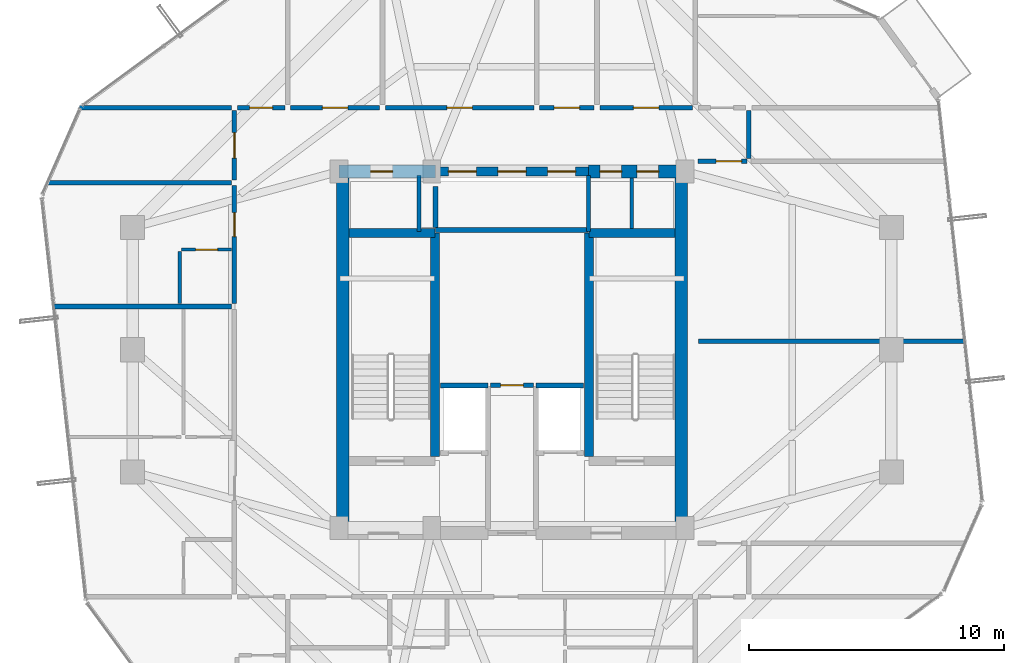
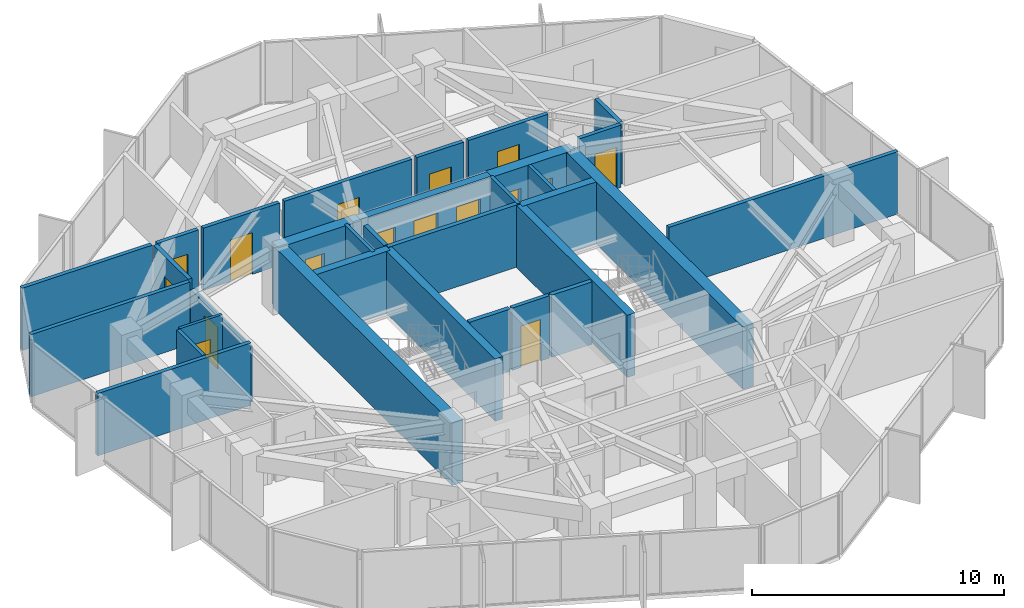
# One storey, part 29 of 32: 32 walls, 16 doors, 16 openings.
"""IFC4 building model written with IfcOpenShell, lengths in metres."""

from ifc_helpers import new_model, si_unit, direction, frame, frame_2d, origin, place, context, subcontext, project, spatial, rectangle, extrude, source, transform, mapped, material, layer, layer_set, type_object, element, fill, save


model = new_model("IFC4")

# Units and contexts
model_context = context("Model", 3, precision=1e-05, world=origin(), true_north=direction((0.0, 1.0)))
body_context = subcontext(model_context, "Body", "Model", "MODEL_VIEW")
ifc_project = project(units=[si_unit("LENGTHUNIT", "METRE"), si_unit("AREAUNIT", "SQUARE_METRE"), si_unit("VOLUMEUNIT", "CUBIC_METRE"), si_unit("PLANEANGLEUNIT", "RADIAN"), si_unit("MASSUNIT", "GRAM", prefix="KILO")], contexts=[model_context])

# Site, building, storey
site_placement = place(None, origin())
site = spatial("IfcSite", under=ifc_project, at=site_placement, CompositionType="ELEMENT")
building_placement = place(site_placement, origin())
building = spatial("IfcBuilding", under=site, at=building_placement, Name="Veraguas Prism Commons", CompositionType="ELEMENT")
storey_placement = place(building_placement, frame((0.0, 0.0, 185.35009765625)))
storey = spatial("IfcBuildingStorey", under=building, at=storey_placement, Name="L52", CompositionType="ELEMENT", Elevation=185.35009765625)

# Wall, openings, doors
ifc_material_1 = material(Name="Concrete C50/60", Category="concrete")
ifc_layer_1 = layer(ifc_material_1, 0.35009765625, Name="Core Internal Shear Wall Upper RC 350", Category="concrete")
ifc_layer_set_1 = layer_set([ifc_layer_1], Name="Concrete C50/60")
wall_type_1 = type_object("IfcWallType", Name="Core Internal Shear Wall Upper RC 350", PredefinedType="SHEAR", material=ifc_layer_set_1)
wall_1_placement = place(storey_placement, frame((21.0, 31.0, 0.0), z_axis=(0.0, 0.0, 1.0), x_axis=(1.0, 0.0, 0.0)))
wall_1 = element("IfcWall", 1, at=wall_1_placement, inside=storey, type_object=wall_type_1, Name="High-Rise Lift Bank Front Shear Wall L52", PredefinedType="SHEAR", context=body_context, shape_type="SweptSolid", body=[
    extrude(rectangle(XDim=6.0, YDim=0.35009765625, at=frame_2d((3.0, 0.0))), origin(), (0.0, 0.0, 1.0), 3.014892578125),
])
opening_1_placement = place(wall_1_placement, frame((0.5, 0.0, 0.0)))
opening_1 = element("IfcOpeningElement", 2, at=opening_1_placement, cuts=wall_1, Name="Opening LD-01", PredefinedType="OPENING", context=body_context, shape_type="SweptSolid", body=[
    extrude(rectangle(XDim=1.10009765625, YDim=2.080078125, at=frame_2d((0.550048828125, 1.0400390625))), frame((0.0, 0.18505859375, 0.0), z_axis=(0.0, -1.0, 0.0), x_axis=(1.0, 0.0, 0.0)), (0.0, 0.0, 1.0), 0.3701171875),
])
opening_2_placement = place(wall_1_placement, frame((2.449951171875, 0.0, 0.0)))
opening_2 = element("IfcOpeningElement", 3, at=opening_2_placement, cuts=wall_1, Name="Opening LD-01", PredefinedType="OPENING", context=body_context, shape_type="SweptSolid", body=[
    extrude(rectangle(XDim=1.10009765625, YDim=2.080078125, at=frame_2d((0.550048828125, 1.0400390625))), frame((0.0, 0.18505859375, 0.0), z_axis=(0.0, -1.0, 0.0), x_axis=(1.0, 0.0, 0.0)), (0.0, 0.0, 1.0), 0.3701171875),
])
opening_3_placement = place(wall_1_placement, frame((4.39990234375, 0.0, 0.0)))
opening_3 = element("IfcOpeningElement", 4, at=opening_3_placement, cuts=wall_1, Name="Opening LD-01", PredefinedType="OPENING", context=body_context, shape_type="SweptSolid", body=[
    extrude(rectangle(XDim=1.10009765625, YDim=2.080078125, at=frame_2d((0.550048828125, 1.0400390625))), frame((0.0, 0.18505859375, 0.0), z_axis=(0.0, -1.0, 0.0), x_axis=(1.0, 0.0, 0.0)), (0.0, 0.0, 1.0), 0.3701171875),
])
ifc_material_2 = material(Name="Stainless steel AISI 316", Category="steel")
door_type_1 = type_object("IfcDoorType", Name="Passenger Lift Sliding Landing Door 1100x2080", OperationType="NOTDEFINED", PredefinedType="DOOR", material=ifc_material_2)
shared_shape_1 = source(origin(), body_context, "Body", "SweptSolid", [
    extrude(rectangle(XDim=1.10009765625, YDim=2.080078125, at=frame_2d((0.550048828125, 1.0400390625))), frame((0.0, 0.02490234375, 0.0), z_axis=(0.0, -1.0, 0.0), x_axis=(1.0, 0.0, 0.0)), (0.0, 0.0, 1.0), 0.050048828125),
])
door_1_placement = place(opening_1_placement, origin())
door_1 = element("IfcDoor", 5, at=door_1_placement, inside=storey, type_object=door_type_1, Name="Sliding Landing Door PL-H1 L52", OperationType="SLIDING_TO_LEFT", OverallHeight=2.080078125, OverallWidth=1.10009765625, PredefinedType="DOOR", context=body_context, shape_type="MappedRepresentation", body=[
    mapped(shared_shape_1, transform((0.0, 0.0, 0.0), scale=1.0)),
])
fill(opening_1, door_1)
door_2_placement = place(opening_2_placement, origin())
door_2 = element("IfcDoor", 6, at=door_2_placement, inside=storey, type_object=door_type_1, Name="Sliding Landing Door PL-H2 L52", OperationType="SLIDING_TO_LEFT", OverallHeight=2.080078125, OverallWidth=1.10009765625, PredefinedType="DOOR", context=body_context, shape_type="MappedRepresentation", body=[
    mapped(shared_shape_1, transform((0.0, 0.0, 0.0), scale=1.0)),
])
fill(opening_2, door_2)
door_3_placement = place(opening_3_placement, origin())
door_3 = element("IfcDoor", 7, at=door_3_placement, inside=storey, type_object=door_type_1, Name="Sliding Landing Door PL-H3 L52", OperationType="SLIDING_TO_LEFT", OverallHeight=2.080078125, OverallWidth=1.10009765625, PredefinedType="DOOR", context=body_context, shape_type="MappedRepresentation", body=[
    mapped(shared_shape_1, transform((0.0, 0.0, 0.0), scale=1.0)),
])
fill(opening_3, door_3)

# Walls
for number, where, z_axis, x_axis, name in (
    (8, (20.97509765625, 19.800048828125, 0.0), (0.0, 0.0, 1.0), (0.0, 1.0, 0.0), "Stair ST-01 Inner Shear Wall L52"),
    (9, (27.02490234375, 19.800048828125, 0.0), (0.0, 0.0, 1.0), (0.0, 1.0, 0.0), "Stair ST-02 Inner Shear Wall L52"),
):
    element("IfcWall", number, at=place(storey_placement, frame(where, z_axis=z_axis, x_axis=x_axis)), inside=storey, type_object=wall_type_1, Name=name, PredefinedType="SHEAR", context=body_context, shape_type="SweptSolid", body=[
        extrude(rectangle(XDim=8.77490234375, YDim=0.35009765625, at=frame_2d((4.387451171875, 0.0))), origin(), (0.0, 0.0, 1.0), 3.014892578125),
    ])
for number, where, z_axis, x_axis, name in (
    (10, (17.60009765625, 28.574951171875, 0.0), (0.0, 0.0, 1.0), (1.0, 0.0, 0.0), "Stair ST-01 North Shear Wall L52"),
    (11, (27.02490234375, 28.574951171875, 0.0), (0.0, 0.0, 1.0), (1.0, 0.0, 0.0), "Stair ST-02 North Shear Wall L52"),
):
    element("IfcWall", number, at=place(storey_placement, frame(where, z_axis=z_axis, x_axis=x_axis)), inside=storey, type_object=wall_type_1, Name=name, PredefinedType="SHEAR", context=body_context, shape_type="SweptSolid", body=[
        extrude(rectangle(XDim=3.375, YDim=0.35009765625, at=frame_2d((1.6875, 0.0))), origin(), (0.0, 0.0, 1.0), 3.014892578125),
    ])
ifc_layer_2 = layer(ifc_material_1, 0.5, Name="Core Outer Shear Wall Upper RC 500", Category="concrete")
ifc_layer_set_2 = layer_set([ifc_layer_2], Name="Concrete C50/60")
wall_type_2 = type_object("IfcWallType", Name="Core Outer Shear Wall Upper RC 500", PredefinedType="SHEAR", material=ifc_layer_set_2)
for number, where, z_axis, x_axis, name in (
    (12, (17.35009765625, 16.800048828125, 0.0), (0.0, 0.0, 1.0), (0.0, 1.0, 0.0), "Central Core West Shear Wall L52"),
    (13, (30.64990234375, 16.800048828125, 0.0), (0.0, 0.0, 1.0), (0.0, 1.0, 0.0), "Central Core East Shear Wall L52"),
):
    element("IfcWall", number, at=place(storey_placement, frame(where, z_axis=z_axis, x_axis=x_axis)), inside=storey, type_object=wall_type_2, Name=name, PredefinedType="SHEAR", context=body_context, shape_type="SweptSolid", body=[
        extrude(rectangle(XDim=14.199951171875, YDim=0.5, at=frame_2d((7.10009765625, 0.0))), origin(), (0.0, 0.0, 1.0), 3.014892578125),
    ])

# Wall, opening, door
wall_2_placement = place(storey_placement, frame((17.199951171875, 31.0, 0.0), z_axis=(0.0, 0.0, 1.0), x_axis=(1.0, 0.0, 0.0)))
wall_2 = element("IfcWall", 14, at=wall_2_placement, inside=storey, type_object=wall_type_2, Name="Central Core North-West Shear Wall L52", PredefinedType="SHEAR", context=body_context, shape_type="SweptSolid", body=[
    extrude(rectangle(XDim=3.800048828125, YDim=0.5, at=frame_2d((1.89990234375, 0.0))), origin(), (0.0, 0.0, 1.0), 3.014892578125),
])
opening_4_placement = place(wall_2_placement, frame((1.25, 0.0, 0.0)))
opening_4 = element("IfcOpeningElement", 15, at=opening_4_placement, cuts=wall_2, Name="Opening DR-12", PredefinedType="OPENING", context=body_context, shape_type="SweptSolid", body=[
    extrude(rectangle(XDim=0.860107421875, YDim=2.010009765625, at=frame_2d((0.43017578125, 1.0048828125))), frame((0.0, 0.260009765625, 0.0), z_axis=(0.0, -1.0, 0.0), x_axis=(1.0, 0.0, 0.0)), (0.0, 0.0, 1.0), 0.52001953125),
])
ifc_material_3 = material(Name="Steel fire-rated door assembly", Category="steel")
door_type_2 = type_object("IfcDoorType", Name="Core WC Fire Door 860x2010", OperationType="NOTDEFINED", PredefinedType="DOOR", material=ifc_material_3)
shared_shape_2 = source(origin(), body_context, "Body", "SweptSolid", [
    extrude(rectangle(XDim=0.860107421875, YDim=2.010009765625, at=frame_2d((0.43017578125, 1.0048828125))), frame((0.0, 0.02490234375, 0.0), z_axis=(0.0, -1.0, 0.0), x_axis=(1.0, 0.0, 0.0)), (0.0, 0.0, 1.0), 0.050048828125),
])
door_4_placement = place(opening_4_placement, origin())
door_4 = element("IfcDoor", 16, at=door_4_placement, inside=storey, type_object=door_type_2, Name="Core NW Service Door L52", OperationType="SINGLE_SWING_RIGHT", OverallHeight=2.010009765625, OverallWidth=0.860107421875, PredefinedType="DOOR", context=body_context, shape_type="MappedRepresentation", body=[
    mapped(shared_shape_2, transform((0.0, 0.0, 0.0), scale=1.0)),
])
fill(opening_4, door_4)

# Wall, openings, doors
wall_3_placement = place(storey_placement, frame((27.0, 31.0, 0.0), z_axis=(0.0, 0.0, 1.0), x_axis=(1.0, 0.0, 0.0)))
wall_3 = element("IfcWall", 17, at=wall_3_placement, inside=storey, type_object=wall_type_2, Name="Central Core North-East Shear Wall L52", PredefinedType="SHEAR", context=body_context, shape_type="SweptSolid", body=[
    extrude(rectangle(XDim=3.800048828125, YDim=0.5, at=frame_2d((1.89990234375, 0.0))), origin(), (0.0, 0.0, 1.0), 3.014892578125),
])
opening_5_placement = place(wall_3_placement, frame((0.449951171875, 0.0, 0.0)))
opening_5 = element("IfcOpeningElement", 18, at=opening_5_placement, cuts=wall_3, Name="Opening DR-12", PredefinedType="OPENING", context=body_context, shape_type="SweptSolid", body=[
    extrude(rectangle(XDim=0.860107421875, YDim=2.010009765625, at=frame_2d((0.43017578125, 1.0048828125))), frame((0.0, 0.260009765625, 0.0), z_axis=(0.0, -1.0, 0.0), x_axis=(1.0, 0.0, 0.0)), (0.0, 0.0, 1.0), 0.52001953125),
])
opening_6_placement = place(wall_3_placement, frame((1.89990234375, 0.0, 0.0)))
opening_6 = element("IfcOpeningElement", 19, at=opening_6_placement, cuts=wall_3, Name="Opening DR-12", PredefinedType="OPENING", context=body_context, shape_type="SweptSolid", body=[
    extrude(rectangle(XDim=0.860107421875, YDim=2.010009765625, at=frame_2d((0.43017578125, 1.0048828125))), frame((0.0, 0.260009765625, 0.0), z_axis=(0.0, -1.0, 0.0), x_axis=(1.0, 0.0, 0.0)), (0.0, 0.0, 1.0), 0.52001953125),
])
door_5_placement = place(opening_5_placement, origin())
door_5 = element("IfcDoor", 20, at=door_5_placement, inside=storey, type_object=door_type_2, Name="Core NE Room A Door L52", OperationType="SINGLE_SWING_LEFT", OverallHeight=2.010009765625, OverallWidth=0.860107421875, PredefinedType="DOOR", context=body_context, shape_type="MappedRepresentation", body=[
    mapped(shared_shape_2, transform((0.0, 0.0, 0.0), scale=1.0)),
])
fill(opening_5, door_5)
door_6_placement = place(opening_6_placement, origin())
door_6 = element("IfcDoor", 21, at=door_6_placement, inside=storey, type_object=door_type_2, Name="Core NE Room B Door L52", OperationType="SINGLE_SWING_RIGHT", OverallHeight=2.010009765625, OverallWidth=0.860107421875, PredefinedType="DOOR", context=body_context, shape_type="MappedRepresentation", body=[
    mapped(shared_shape_2, transform((0.0, 0.0, 0.0), scale=1.0)),
])
fill(opening_6, door_6)

# Wall, opening, door
ifc_material_4 = material(Name="Autoclaved aerated masonry block 10 MPa", Category="masonry")
ifc_layer_3 = layer(ifc_material_4, 0.179931640625, Name="Corridor and Inter-Tenancy Partition 180", Category="masonry")
ifc_layer_set_3 = layer_set([ifc_layer_3], Name="Autoclaved aerated masonry block 10 MPa")
wall_type_3 = type_object("IfcWallType", Name="Corridor and Inter-Tenancy Partition 180", PredefinedType="PARTITIONING", material=ifc_layer_set_3)
wall_4_placement = place(storey_placement, frame((23.14990234375, 22.60009765625, 0.0), z_axis=(0.0, 0.0, 1.0), x_axis=(1.0, 0.0, 0.0)))
wall_4 = element("IfcWall", 22, at=wall_4_placement, inside=storey, type_object=wall_type_3, Name="Core Suite Entry Wall L52", PredefinedType="PARTITIONING", context=body_context, shape_type="SweptSolid", body=[
    extrude(rectangle(XDim=1.7001953125, YDim=0.179931640625, at=frame_2d((0.85009765625, 0.0))), origin(), (0.0, 0.0, 1.0), 3.014892578125),
])
opening_7_placement = place(wall_4_placement, frame((0.39990234375, 0.0, 0.0)))
opening_7 = element("IfcOpeningElement", 23, at=opening_7_placement, cuts=wall_4, Name="Opening DR-14", PredefinedType="OPENING", context=body_context, shape_type="SweptSolid", body=[
    extrude(rectangle(XDim=0.89990234375, YDim=2.010009765625, at=frame_2d((0.449951171875, 1.0048828125))), frame((0.0, 0.099853515625, 0.0), z_axis=(0.0, -1.0, 0.0), x_axis=(1.0, 0.0, 0.0)), (0.0, 0.0, 1.0), 0.199951171875),
])
door_type_3 = type_object("IfcDoorType", Name="Core Service Room Fire Door 900x2010", OperationType="NOTDEFINED", PredefinedType="DOOR", material=ifc_material_3)
shared_shape_3 = source(origin(), body_context, "Body", "SweptSolid", [
    extrude(rectangle(XDim=0.89990234375, YDim=2.010009765625, at=frame_2d((0.449951171875, 1.0048828125))), frame((0.0, 0.02490234375, 0.0), z_axis=(0.0, -1.0, 0.0), x_axis=(1.0, 0.0, 0.0)), (0.0, 0.0, 1.0), 0.050048828125),
])
door_7_placement = place(opening_7_placement, origin())
door_7 = element("IfcDoor", 24, at=door_7_placement, inside=storey, type_object=door_type_3, Name="Core Suite Entry Door L52", OperationType="SINGLE_SWING_LEFT", OverallHeight=2.010009765625, OverallWidth=0.89990234375, PredefinedType="DOOR", context=body_context, shape_type="MappedRepresentation", body=[
    mapped(shared_shape_3, transform((0.0, 0.0, 0.0), scale=1.0)),
])
fill(opening_7, door_7)

wall_5_placement = place(storey_placement, frame((15.31005859375, 33.5, 0.0), z_axis=(0.0, 0.0, 1.0), x_axis=(1.0, 0.0, 0.0)))
wall_5 = element("IfcWall", 25, at=wall_5_placement, inside=storey, type_object=wall_type_3, Name="WL-L52-PT015", PredefinedType="PARTITIONING", context=body_context, shape_type="SweptSolid", body=[
    extrude(rectangle(XDim=3.492919921875, YDim=0.179931640625, at=frame_2d((1.74658203125, 0.0))), origin(), (0.0, 0.0, 1.0), 3.014892578125),
])
opening_8_placement = place(wall_5_placement, frame((1.24658203125, 0.0, 0.0)))
opening_8 = element("IfcOpeningElement", 26, at=opening_8_placement, cuts=wall_5, Name="Opening DR-13", PredefinedType="OPENING", context=body_context, shape_type="SweptSolid", body=[
    extrude(rectangle(XDim=1.0, YDim=2.010009765625, at=frame_2d((0.5, 1.0048828125))), frame((0.0, 0.099853515625, 0.0), z_axis=(0.0, -1.0, 0.0), x_axis=(1.0, 0.0, 0.0)), (0.0, 0.0, 1.0), 0.199951171875),
])
door_type_4 = type_object("IfcDoorType", Name="Core Accessible WC and Clinic Fire Door 1000x2010", OperationType="NOTDEFINED", PredefinedType="DOOR", material=ifc_material_3)
shared_shape_4 = source(origin(), body_context, "Body", "SweptSolid", [
    extrude(rectangle(XDim=1.0, YDim=2.010009765625, at=frame_2d((0.5, 1.0048828125))), frame((0.0, 0.02490234375, 0.0), z_axis=(0.0, -1.0, 0.0), x_axis=(1.0, 0.0, 0.0)), (0.0, 0.0, 1.0), 0.050048828125),
])
door_8_placement = place(opening_8_placement, origin())
door_8 = element("IfcDoor", 27, at=door_8_placement, inside=storey, type_object=door_type_4, Name="Residents Study Room Door", OperationType="SINGLE_SWING_RIGHT", OverallHeight=2.010009765625, OverallWidth=1.0, PredefinedType="DOOR", context=body_context, shape_type="MappedRepresentation", body=[
    mapped(shared_shape_4, transform((0.0, 0.0, 0.0), scale=1.0)),
])
fill(opening_8, door_8)

wall_6_placement = place(storey_placement, frame((19.02294921875, 33.5, 0.0), z_axis=(0.0, 0.0, 1.0), x_axis=(1.0, 0.0, 0.0)))
wall_6 = element("IfcWall", 28, at=wall_6_placement, inside=storey, type_object=wall_type_3, Name="WL-L52-PT016", PredefinedType="PARTITIONING", context=body_context, shape_type="SweptSolid", body=[
    extrude(rectangle(XDim=5.837158203125, YDim=0.179931640625, at=frame_2d((2.91845703125, 0.0))), origin(), (0.0, 0.0, 1.0), 3.014892578125),
])
opening_9_placement = place(wall_6_placement, frame((2.41845703125, 0.0, 0.0)))
opening_9 = element("IfcOpeningElement", 29, at=opening_9_placement, cuts=wall_6, Name="Opening DR-13", PredefinedType="OPENING", context=body_context, shape_type="SweptSolid", body=[
    extrude(rectangle(XDim=1.0, YDim=2.010009765625, at=frame_2d((0.5, 1.0048828125))), frame((0.0, 0.099853515625, 0.0), z_axis=(0.0, -1.0, 0.0), x_axis=(1.0, 0.0, 0.0)), (0.0, 0.0, 1.0), 0.199951171875),
])
door_9_placement = place(opening_9_placement, origin())
door_9 = element("IfcDoor", 30, at=door_9_placement, inside=storey, type_object=door_type_4, Name="Co-op Store N Door", OperationType="SINGLE_SWING_LEFT", OverallHeight=2.010009765625, OverallWidth=1.0, PredefinedType="DOOR", context=body_context, shape_type="MappedRepresentation", body=[
    mapped(shared_shape_4, transform((0.0, 0.0, 0.0), scale=1.0)),
])
fill(opening_9, door_9)

wall_7_placement = place(storey_placement, frame((25.080078125, 33.5, 0.0), z_axis=(0.0, 0.0, 1.0), x_axis=(1.0, 0.0, 0.0)))
wall_7 = element("IfcWall", 31, at=wall_7_placement, inside=storey, type_object=wall_type_3, Name="WL-L52-PT019", PredefinedType="PARTITIONING", context=body_context, shape_type="SweptSolid", body=[
    extrude(rectangle(XDim=2.14697265625, YDim=0.179931640625, at=frame_2d((1.073486328125, 0.0))), origin(), (0.0, 0.0, 1.0), 3.014892578125),
])
opening_10_placement = place(wall_7_placement, frame((0.573486328125, 0.0, 0.0)))
opening_10 = element("IfcOpeningElement", 32, at=opening_10_placement, cuts=wall_7, Name="Opening DR-13", PredefinedType="OPENING", context=body_context, shape_type="SweptSolid", body=[
    extrude(rectangle(XDim=1.0, YDim=2.010009765625, at=frame_2d((0.5, 1.0048828125))), frame((0.0, 0.099853515625, 0.0), z_axis=(0.0, -1.0, 0.0), x_axis=(1.0, 0.0, 0.0)), (0.0, 0.0, 1.0), 0.199951171875),
])
door_10_placement = place(opening_10_placement, origin())
door_10 = element("IfcDoor", 33, at=door_10_placement, inside=storey, type_object=door_type_4, Name="Shared Laundry Room Door", OperationType="SINGLE_SWING_RIGHT", OverallHeight=2.010009765625, OverallWidth=1.0, PredefinedType="DOOR", context=body_context, shape_type="MappedRepresentation", body=[
    mapped(shared_shape_4, transform((0.0, 0.0, 0.0), scale=1.0)),
])
fill(opening_10, door_10)

wall_8_placement = place(storey_placement, frame((27.447021484375, 33.5, 0.0), z_axis=(0.0, 0.0, 1.0), x_axis=(1.0, 0.0, 0.0)))
wall_8 = element("IfcWall", 34, at=wall_8_placement, inside=storey, type_object=wall_type_3, Name="WL-L52-PT020", PredefinedType="PARTITIONING", context=body_context, shape_type="SweptSolid", body=[
    extrude(rectangle(XDim=3.64306640625, YDim=0.179931640625, at=frame_2d((1.821533203125, 0.0))), origin(), (0.0, 0.0, 1.0), 3.014892578125),
])
opening_11_placement = place(wall_8_placement, frame((1.321533203125, 0.0, 0.0)))
opening_11 = element("IfcOpeningElement", 35, at=opening_11_placement, cuts=wall_8, Name="Opening DR-13", PredefinedType="OPENING", context=body_context, shape_type="SweptSolid", body=[
    extrude(rectangle(XDim=1.0, YDim=2.010009765625, at=frame_2d((0.5, 1.0048828125))), frame((0.0, 0.099853515625, 0.0), z_axis=(0.0, -1.0, 0.0), x_axis=(1.0, 0.0, 0.0)), (0.0, 0.0, 1.0), 0.199951171875),
])
door_11_placement = place(opening_11_placement, origin())
door_11 = element("IfcDoor", 36, at=door_11_placement, inside=storey, type_object=door_type_4, Name="Co-op Store N Door", OperationType="SINGLE_SWING_LEFT", OverallHeight=2.010009765625, OverallWidth=1.0, PredefinedType="DOOR", context=body_context, shape_type="MappedRepresentation", body=[
    mapped(shared_shape_4, transform((0.0, 0.0, 0.0), scale=1.0)),
])
fill(opening_11, door_11)

# Walls
wall_9_placement = place(storey_placement, frame((12.97998046875, 33.5, 0.0), z_axis=(0.0, 0.0, 1.0), x_axis=(-1.0, 0.0, 0.0)))
element("IfcWall", 37, at=wall_9_placement, inside=storey, type_object=wall_type_3, Name="WL-L52-PT023", PredefinedType="PARTITIONING", context=body_context, shape_type="SweptSolid", body=[
    extrude(rectangle(XDim=5.9658203125, YDim=0.179931640625, at=frame_2d((2.98291015625, 0.0))), origin(), (0.0, 0.0, 1.0), 3.014892578125),
])
wall_10_placement = place(storey_placement, frame((12.97998046875, 25.696044921875, 0.0), z_axis=(0.0, 0.0, 1.0), x_axis=(-1.0, 0.0, 0.0)))
element("IfcWall", 38, at=wall_10_placement, inside=storey, type_object=wall_type_3, Name="WL-L52-PT030", PredefinedType="PARTITIONING", context=body_context, shape_type="SweptSolid", body=[
    extrude(rectangle(XDim=7.0126953125, YDim=0.179931640625, at=frame_2d((3.50634765625, 0.0))), origin(), (0.0, 0.0, 1.0), 3.014892578125),
])

# Wall, opening, door
wall_11_placement = place(storey_placement, frame((13.10009765625, 30.659912109375, 0.0), z_axis=(0.0, 0.0, 1.0), x_axis=(0.0, 1.0, 0.0)))
wall_11 = element("IfcWall", 39, at=wall_11_placement, inside=storey, type_object=wall_type_3, Name="WL-L52-PT031", PredefinedType="PARTITIONING", context=body_context, shape_type="SweptSolid", body=[
    extrude(rectangle(XDim=2.72998046875, YDim=0.179931640625, at=frame_2d((1.364990234375, 0.0))), origin(), (0.0, 0.0, 1.0), 3.014892578125),
])
opening_12_placement = place(wall_11_placement, frame((0.864990234375, 0.0, 0.0)))
opening_12 = element("IfcOpeningElement", 40, at=opening_12_placement, cuts=wall_11, Name="Opening DR-13", PredefinedType="OPENING", context=body_context, shape_type="SweptSolid", body=[
    extrude(rectangle(XDim=1.0, YDim=2.010009765625, at=frame_2d((0.5, 1.0048828125))), frame((0.0, 0.099853515625, 0.0), z_axis=(0.0, -1.0, 0.0), x_axis=(1.0, 0.0, 0.0)), (0.0, 0.0, 1.0), 0.199951171875),
])
door_12_placement = place(opening_12_placement, origin())
door_12 = element("IfcDoor", 41, at=door_12_placement, inside=storey, type_object=door_type_4, Name="Quiet Study W Door", OperationType="SINGLE_SWING_RIGHT", OverallHeight=2.010009765625, OverallWidth=1.0, PredefinedType="DOOR", context=body_context, shape_type="MappedRepresentation", body=[
    mapped(shared_shape_4, transform((0.0, 0.0, 0.0), scale=1.0)),
])
fill(opening_12, door_12)

# Wall
wall_12_placement = place(storey_placement, frame((12.97998046875, 30.550048828125, 0.0), z_axis=(0.0, 0.0, 1.0), x_axis=(-1.0, 0.0, 0.0)))
element("IfcWall", 42, at=wall_12_placement, inside=storey, type_object=wall_type_3, Name="WL-L52-PT032", PredefinedType="PARTITIONING", context=body_context, shape_type="SweptSolid", body=[
    extrude(rectangle(XDim=7.26318359375, YDim=0.179931640625, at=frame_2d((3.631591796875, 0.0))), origin(), (0.0, 0.0, 1.0), 3.014892578125),
])

# Wall, opening, door
wall_13_placement = place(storey_placement, frame((13.10009765625, 25.805908203125, 0.0), z_axis=(0.0, 0.0, 1.0), x_axis=(0.0, 1.0, 0.0)))
wall_13 = element("IfcWall", 43, at=wall_13_placement, inside=storey, type_object=wall_type_3, Name="WL-L52-PT033", PredefinedType="PARTITIONING", context=body_context, shape_type="SweptSolid", body=[
    extrude(rectangle(XDim=4.634033203125, YDim=0.179931640625, at=frame_2d((2.31689453125, 0.0))), origin(), (0.0, 0.0, 1.0), 2.661865234375),
])
opening_13_placement = place(wall_13_placement, frame((2.630126953125, 0.0, 0.0)))
opening_13 = element("IfcOpeningElement", 44, at=opening_13_placement, cuts=wall_13, Name="Opening DR-01", PredefinedType="OPENING", context=body_context, shape_type="SweptSolid", body=[
    extrude(rectangle(XDim=0.949951171875, YDim=2.02001953125, at=frame_2d((0.47509765625, 1.010009765625))), frame((0.0, 0.099853515625, 0.0), z_axis=(0.0, -1.0, 0.0), x_axis=(1.0, 0.0, 0.0)), (0.0, 0.0, 1.0), 0.199951171875),
])
ifc_material_5 = material(Name="Anodised aluminium EN AW-6063 T6", Category="aluminium")
door_type_5 = type_object("IfcDoorType", Name="Apartment Entrance Fire Door 950x2020", OperationType="NOTDEFINED", PredefinedType="DOOR", material=ifc_material_5)
shared_shape_5 = source(origin(), body_context, "Body", "SweptSolid", [
    extrude(rectangle(XDim=0.949951171875, YDim=2.02001953125, at=frame_2d((0.47509765625, 1.010009765625))), frame((0.0, 0.02490234375, 0.0), z_axis=(0.0, -1.0, 0.0), x_axis=(1.0, 0.0, 0.0)), (0.0, 0.0, 1.0), 0.050048828125),
])
door_13_placement = place(opening_13_placement, origin())
door_13 = element("IfcDoor", 45, at=door_13_placement, inside=storey, type_object=door_type_5, Name="Studio 52C Entrance Door", OperationType="SINGLE_SWING_LEFT", OverallHeight=2.02001953125, OverallWidth=0.949951171875, PredefinedType="DOOR", context=body_context, shape_type="MappedRepresentation", body=[
    mapped(shared_shape_5, transform((0.0, 0.0, 0.0), scale=1.0)),
])
fill(opening_13, door_13)

# Walls
wall_14_placement = place(storey_placement, frame((31.320068359375, 24.324951171875, 0.0), z_axis=(0.0, 0.0, 1.0), x_axis=(1.0, 0.0, 0.0)))
element("IfcWall", 46, at=wall_14_placement, inside=storey, type_object=wall_type_3, Name="WL-L52-PT036", PredefinedType="PARTITIONING", context=body_context, shape_type="SweptSolid", body=[
    extrude(rectangle(XDim=10.490966796875, YDim=0.179931640625, at=frame_2d((5.24560546875, 0.0))), origin(), (0.0, 0.0, 1.0), 3.014892578125),
])
wall_15_placement = place(storey_placement, frame((33.300048828125, 31.5, 0.0), z_axis=(0.0, 0.0, 1.0), x_axis=(0.0, 1.0, 0.0)))
element("IfcWall", 47, at=wall_15_placement, inside=storey, type_object=wall_type_3, Name="WL-L52-PT038", PredefinedType="PARTITIONING", context=body_context, shape_type="SweptSolid", body=[
    extrude(rectangle(XDim=1.89990234375, YDim=0.179931640625, at=frame_2d((0.949951171875, 0.0))), origin(), (0.0, 0.0, 1.0), 3.014892578125),
])

# Wall, opening, door
wall_16_placement = place(storey_placement, frame((31.300048828125, 31.39990234375, 0.0), z_axis=(0.0, 0.0, 1.0), x_axis=(1.0, 0.0, 0.0)))
wall_16 = element("IfcWall", 48, at=wall_16_placement, inside=storey, type_object=wall_type_3, Name="WL-L52-PT041", PredefinedType="PARTITIONING", context=body_context, shape_type="SweptSolid", body=[
    extrude(rectangle(XDim=1.919921875, YDim=0.179931640625, at=frame_2d((0.9599609375, 0.0))), origin(), (0.0, 0.0, 1.0), 3.014892578125),
])
opening_14_placement = place(wall_16_placement, frame((0.719970703125, 0.0, 0.0)))
opening_14 = element("IfcOpeningElement", 49, at=opening_14_placement, cuts=wall_16, Name="Opening DR-13", PredefinedType="OPENING", context=body_context, shape_type="SweptSolid", body=[
    extrude(rectangle(XDim=1.0, YDim=2.010009765625, at=frame_2d((0.5, 1.0048828125))), frame((0.0, 0.099853515625, 0.0), z_axis=(0.0, -1.0, 0.0), x_axis=(1.0, 0.0, 0.0)), (0.0, 0.0, 1.0), 0.199951171875),
])
door_14_placement = place(opening_14_placement, origin())
door_14 = element("IfcDoor", 50, at=door_14_placement, inside=storey, type_object=door_type_4, Name="Study Salon Door L52", OperationType="SINGLE_SWING_RIGHT", OverallHeight=2.010009765625, OverallWidth=1.0, PredefinedType="DOOR", context=body_context, shape_type="MappedRepresentation", body=[
    mapped(shared_shape_4, transform((0.0, 0.0, 0.0), scale=1.0)),
])
fill(opening_14, door_14)

wall_17_placement = place(storey_placement, frame((13.219970703125, 33.5, 0.0), z_axis=(0.0, 0.0, 1.0), x_axis=(1.0, 0.0, 0.0)))
wall_17 = element("IfcWall", 51, at=wall_17_placement, inside=storey, type_object=wall_type_3, Name="WL-L52-PT049", PredefinedType="PARTITIONING", context=body_context, shape_type="SweptSolid", body=[
    extrude(rectangle(XDim=1.860107421875, YDim=0.179931640625, at=frame_2d((0.93017578125, 0.0))), origin(), (0.0, 0.0, 1.0), 3.014892578125),
])
opening_15_placement = place(wall_17_placement, frame((0.47998046875, 0.0, 0.0)))
opening_15 = element("IfcOpeningElement", 52, at=opening_15_placement, cuts=wall_17, Name="Opening DR-14", PredefinedType="OPENING", context=body_context, shape_type="SweptSolid", body=[
    extrude(rectangle(XDim=0.89990234375, YDim=2.010009765625, at=frame_2d((0.449951171875, 1.0048828125))), frame((0.0, 0.099853515625, 0.0), z_axis=(0.0, -1.0, 0.0), x_axis=(1.0, 0.0, 0.0)), (0.0, 0.0, 1.0), 0.199951171875),
])
door_15_placement = place(opening_15_placement, origin())
door_15 = element("IfcDoor", 53, at=door_15_placement, inside=storey, type_object=door_type_3, Name="Shared Laundry Room NW Door", OperationType="SINGLE_SWING_RIGHT", OverallHeight=2.010009765625, OverallWidth=0.89990234375, PredefinedType="DOOR", context=body_context, shape_type="MappedRepresentation", body=[
    mapped(shared_shape_3, transform((0.0, 0.0, 0.0), scale=1.0)),
])
fill(opening_15, door_15)

ifc_material_6 = material(Name="Lightweight acoustic gypsum board")
ifc_layer_4 = layer(ifc_material_6, 0.125, Name="Internal Apartment Room Partition 125")
ifc_layer_set_4 = layer_set([ifc_layer_4], Name="Lightweight acoustic gypsum board")
wall_type_4 = type_object("IfcWallType", Name="Internal Apartment Room Partition 125", PredefinedType="PARTITIONING", material=ifc_layer_set_4)
wall_18_placement = place(storey_placement, frame((12.97998046875, 27.928955078125, 0.0), z_axis=(0.0, 0.0, 1.0), x_axis=(-1.0, 0.0, 0.0)))
wall_18 = element("IfcWall", 54, at=wall_18_placement, inside=storey, type_object=wall_type_4, Name="WL-L52-PT034", PredefinedType="PARTITIONING", context=body_context, shape_type="SweptSolid", body=[
    extrude(rectangle(XDim=1.949951171875, YDim=0.125, at=frame_2d((0.97509765625, 0.0))), origin(), (0.0, 0.0, 1.0), 3.014892578125),
])
opening_16_placement = place(wall_18_placement, frame((0.544921875, 0.0, 0.0)))
opening_16 = element("IfcOpeningElement", 55, at=opening_16_placement, cuts=wall_18, Name="Opening DR-03", PredefinedType="OPENING", context=body_context, shape_type="SweptSolid", body=[
    extrude(rectangle(XDim=0.860107421875, YDim=2.010009765625, at=frame_2d((0.43017578125, 1.0048828125))), frame((0.0, 0.072509765625, 0.0), z_axis=(0.0, -1.0, 0.0), x_axis=(1.0, 0.0, 0.0)), (0.0, 0.0, 1.0), 0.14501953125),
])
ifc_material_7 = material(Name="Timber moisture-resistant leaf", Category="wood")
door_type_6 = type_object("IfcDoorType", Name="Internal Bathroom Door 860x2010", OperationType="NOTDEFINED", PredefinedType="DOOR", material=ifc_material_7)
door_16_placement = place(opening_16_placement, origin())
door_16 = element("IfcDoor", 56, at=door_16_placement, inside=storey, type_object=door_type_6, Name="Studio 52C Bathroom Door", OperationType="SINGLE_SWING_RIGHT", OverallHeight=2.010009765625, OverallWidth=0.860107421875, PredefinedType="DOOR", context=body_context, shape_type="MappedRepresentation", body=[
    mapped(shared_shape_2, transform((0.0, 0.0, 0.0), scale=1.0)),
])
fill(opening_16, door_16)

# Walls
ifc_layer_5 = layer(ifc_material_4, 0.199951171875, Name="Rated Shaft and Lobby Block Wall 200", Category="masonry")
ifc_layer_set_5 = layer_set([ifc_layer_5], Name="Autoclaved aerated masonry block 10 MPa")
wall_type_5 = type_object("IfcWallType", Name="Rated Shaft and Lobby Block Wall 200", PredefinedType="SOLIDWALL", material=ifc_layer_set_5)
for number, where, z_axis, x_axis, name in (
    (57, (21.199951171875, 22.60009765625, 0.0), (0.0, 0.0, 1.0), (1.0, 0.0, 0.0), "Firefighting Lift FFL-1 Rear Wall L52"),
    (58, (24.949951171875, 22.60009765625, 0.0), (0.0, 0.0, 1.0), (1.0, 0.0, 0.0), "Firefighting Lift FFL-2 Rear Wall L52"),
):
    element("IfcWall", number, at=place(storey_placement, frame(where, z_axis=z_axis, x_axis=x_axis)), inside=storey, type_object=wall_type_5, Name=name, PredefinedType="SOLIDWALL", context=body_context, shape_type="SweptSolid", body=[
        extrude(rectangle(XDim=1.85009765625, YDim=0.199951171875, at=frame_2d((0.925048828125, 0.0))), origin(), (0.0, 0.0, 1.0), 3.014892578125),
    ])
wall_19_placement = place(storey_placement, frame((21.0, 28.699951171875, 0.0), z_axis=(0.0, 0.0, 1.0), x_axis=(1.0, 0.0, 0.0)))
element("IfcWall", 59, at=wall_19_placement, inside=storey, type_object=wall_type_5, Name="High-Rise Lift Bank Rear Shaft Wall L52", PredefinedType="SOLIDWALL", context=body_context, shape_type="SweptSolid", body=[
    extrude(rectangle(XDim=6.0, YDim=0.199951171875, at=frame_2d((3.0, 0.0))), origin(), (0.0, 0.0, 1.0), 3.014892578125),
])
wall_20_placement = place(storey_placement, frame((21.0, 28.800048828125, 0.0), z_axis=(0.0, 0.0, 1.0), x_axis=(0.0, 1.0, 0.0)))
element("IfcWall", 60, at=wall_20_placement, inside=storey, type_object=wall_type_5, Name="High-Rise Lift Bank West Shaft Wall L52", PredefinedType="SOLIDWALL", context=body_context, shape_type="SweptSolid", body=[
    extrude(rectangle(XDim=1.599853515625, YDim=0.199951171875, at=frame_2d((0.7998046875, 0.0))), origin(), (0.0, 0.0, 1.0), 3.014892578125),
])
ifc_layer_6 = layer(ifc_material_6, 0.14990234375, Name="Wet Room and Clinic Acoustic Partition 150")
ifc_layer_set_6 = layer_set([ifc_layer_6], Name="Lightweight acoustic gypsum board")
wall_type_6 = type_object("IfcWallType", Name="Wet Room and Clinic Acoustic Partition 150", PredefinedType="PARTITIONING", material=ifc_layer_set_6)
for number, where, z_axis, x_axis, name in (
    (61, (20.35009765625, 28.64990234375, 0.0), (0.0, 0.0, 1.0), (0.0, 1.0, 0.0), "Core NW Service Inner Wall L52"),
    (62, (27.0, 28.64990234375, 0.0), (0.0, 0.0, 1.0), (0.0, 1.0, 0.0), "Core NE Service Inner Wall L52"),
):
    element("IfcWall", number, at=place(storey_placement, frame(where, z_axis=z_axis, x_axis=x_axis)), inside=storey, type_object=wall_type_6, Name=name, PredefinedType="PARTITIONING", context=body_context, shape_type="SweptSolid", body=[
        extrude(rectangle(XDim=2.2001953125, YDim=0.14990234375, at=frame_2d((1.10009765625, 0.0))), origin(), (0.0, 0.0, 1.0), 3.014892578125),
    ])
wall_21_placement = place(storey_placement, frame((28.699951171875, 28.75, 0.0), z_axis=(0.0, 0.0, 1.0), x_axis=(0.0, 1.0, 0.0)))
element("IfcWall", 63, at=wall_21_placement, inside=storey, type_object=wall_type_6, Name="WL-L52-CSVD1", PredefinedType="PARTITIONING", context=body_context, shape_type="SweptSolid", body=[
    extrude(rectangle(XDim=2.0, YDim=0.14990234375, at=frame_2d((1.0, 0.0))), origin(), (0.0, 0.0, 1.0), 3.014892578125),
])
wall_22_placement = place(storey_placement, frame((10.949951171875, 25.81591796875, 0.0), z_axis=(0.0, 0.0, 1.0), x_axis=(0.0, 1.0, 0.0)))
element("IfcWall", 64, at=wall_22_placement, inside=storey, type_object=wall_type_6, Name="WL-L52-PT035", PredefinedType="PARTITIONING", context=body_context, shape_type="SweptSolid", body=[
    extrude(rectangle(XDim=2.033203125, YDim=0.14990234375, at=frame_2d((1.0166015625, 0.0))), origin(), (0.0, 0.0, 1.0), 3.014892578125),
])

save(model, "model.ifc")
